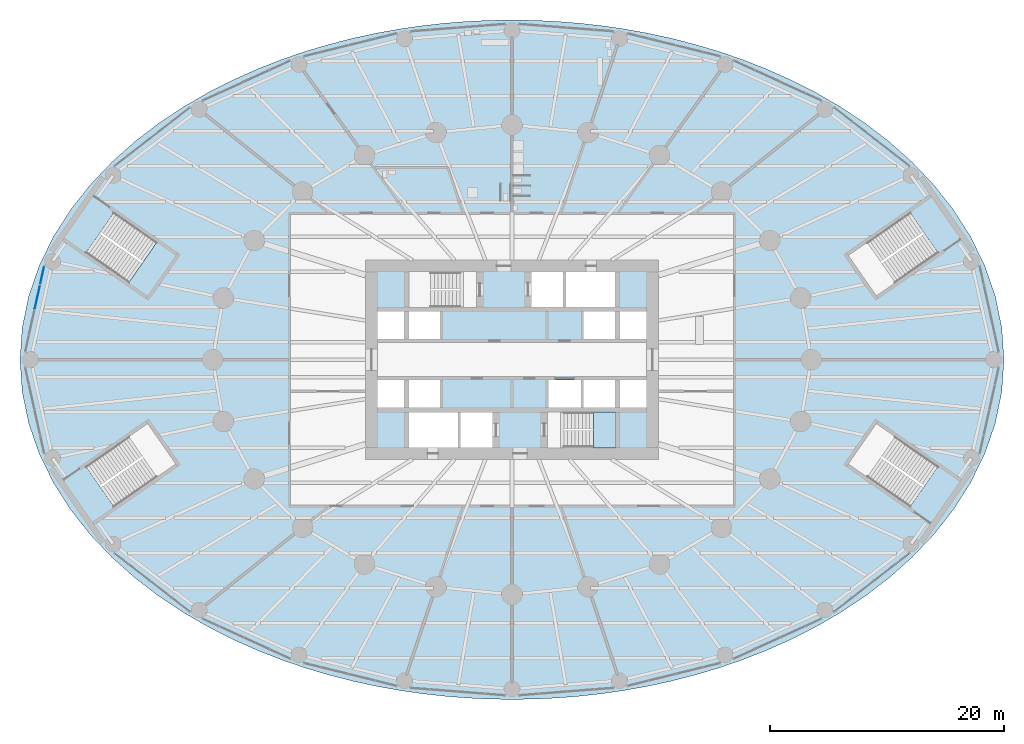
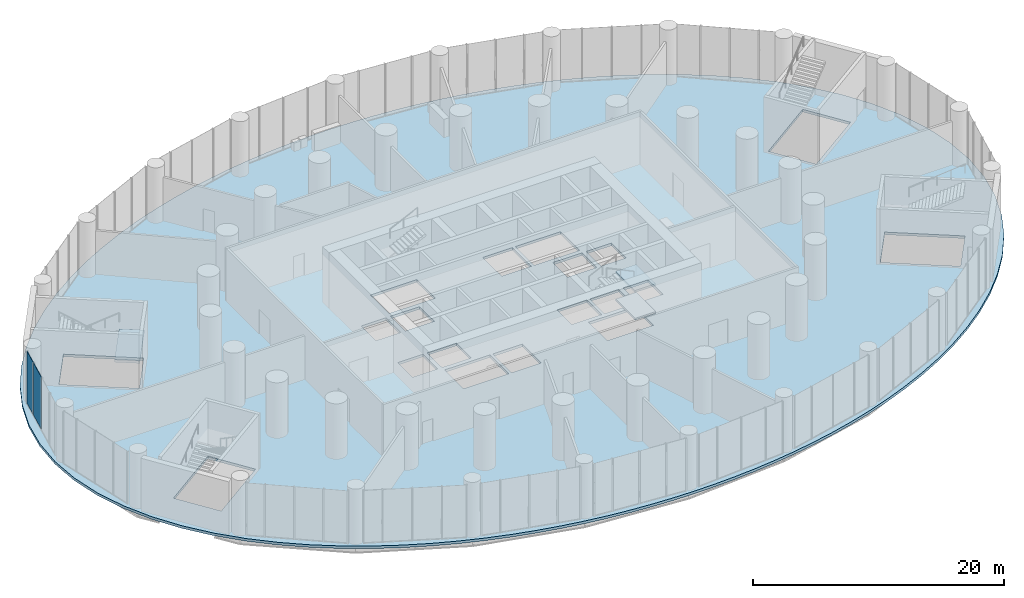
# One storey, part 14 of 23: 4 slabs, 2 plates, 3 elements without a shape of their own.
"""IFC4 building model written with IfcOpenShell, lengths in metres."""

from ifc_helpers import new_model, si_unit, direction, frame, origin, origin_2d, place, context, subcontext, project, spatial, polyline, rectangle, outline, extrude, material, layer, layer_set, type_object, element, aggregate, save


model = new_model("IFC4")

# Units and contexts
model_context = context("Model", 3, precision=1e-05, world=origin(), true_north=direction((0.0, 1.0)))
body_context = subcontext(model_context, "Body", "Model", "MODEL_VIEW")
ifc_project = project(units=[si_unit("LENGTHUNIT", "METRE"), si_unit("AREAUNIT", "SQUARE_METRE"), si_unit("VOLUMEUNIT", "CUBIC_METRE"), si_unit("PLANEANGLEUNIT", "RADIAN"), si_unit("MASSUNIT", "GRAM", prefix="KILO")], contexts=[model_context])

# Site, building, storey
site_placement = place(None, origin())
site = spatial("IfcSite", under=ifc_project, at=site_placement, CompositionType="ELEMENT")
building_placement = place(site_placement, origin())
building = spatial("IfcBuilding", under=site, at=building_placement, Name="Hankou Lantern Tower", CompositionType="ELEMENT")
storey_placement = place(building_placement, frame((0.0, 0.0, 19.199951171875)))
storey = spatial("IfcBuildingStorey", under=building, at=storey_placement, Name="L03", CompositionType="ELEMENT", Elevation=19.199951171875)

# Curtain wall, plates
ifc_material_1 = material(Name="Glass, dark grey tinted laminated", Category="glass")
curtain_wall_type = type_object("IfcCurtainWallType", Name="CWP PODIUM CURTAIN WALL", PredefinedType="USERDEFINED", material=ifc_material_1)
curtain_wall_placement = place(storey_placement, origin())
curtain_wall = element("IfcCurtainWall", 1, at=curtain_wall_placement, inside=storey, type_object=curtain_wall_type, Name="CWP L03 PC09", ObjectType="PODIUM GLAZING", PredefinedType="USERDEFINED")
ifc_material_2 = material(Name="Glass, dark grey tinted laminated", Category="glass")
ifc_layer_1 = layer(ifc_material_2, 0.037109375)
ifc_layer_set_1 = layer_set([ifc_layer_1], Name="Glass, dark grey tinted laminated")
plate_type = type_object("IfcPlateType", Name="PN2 PODIUM GLASS PANEL", PredefinedType="CURTAIN_PANEL", material=ifc_layer_set_1)
plate_1_placement = place(storey_placement, frame((-40.105224609375, 7.214599609375, 0.080078125), z_axis=(0.0, 0.0, 1.0), x_axis=(-0.215821488116, -0.976432837049, 0.0)))
plate_1 = element("IfcPlate", 2, at=plate_1_placement, type_object=plate_type, Name="CWP glass panel 1", PredefinedType="CURTAIN_PANEL", context=body_context, shape_type="SweptSolid", body=[
    extrude(rectangle(XDim=1.5869140625, YDim=0.031982421875, at=origin_2d()), origin(), (0.0, 0.0, 1.0), 5.070068359375),
])
plate_2_placement = place(storey_placement, frame((-40.52099609375, 5.333984375, 0.080078125), z_axis=(0.0, 0.0, 1.0), x_axis=(-0.215821488116, -0.976432837049, 0.0)))
plate_2 = element("IfcPlate", 3, at=plate_2_placement, type_object=plate_type, Name="CWP glass panel 2", PredefinedType="CURTAIN_PANEL", context=body_context, shape_type="SweptSolid", body=[
    extrude(rectangle(XDim=2.105224609375, YDim=0.031982421875, at=origin_2d()), origin(), (0.0, 0.0, 1.0), 5.070068359375),
])
aggregate(curtain_wall, [plate_1, plate_2])

# Slab
ifc_material_3 = material(Name="Concrete C50", Category="concrete")
ifc_layer_2 = layer(ifc_material_3, 0.25)
ifc_layer_set_2 = layer_set([ifc_layer_2], Name="Concrete C50")
slab_type_1 = type_object("IfcSlabType", Name="S2 HEAVY FLOOR SLAB 250", PredefinedType="FLOOR", material=ifc_layer_set_2)
slab_1_placement = place(storey_placement, frame((0.0, 0.0, -0.25)))
element("IfcSlab", 4, at=slab_1_placement, inside=storey, type_object=slab_type_1, Name="Floor slab L03", PredefinedType="FLOOR", context=body_context, shape_type="SweptSolid", body=[
    extrude(outline(polyline([(42.0, 0.0), (41.81201171875, 2.740478515625), (41.2568359375, 5.431640625), (40.358642578125, 8.02783203125), (39.155029296875, 10.491455078125), (37.69140625, 12.79443359375), (36.016357421875, 14.91845703125), (34.177978515625, 16.854736328125), (32.220458984375, 18.6025390625), (30.181884765625, 20.166748046875), (28.09375, 21.55712890625), (25.981689453125, 22.78515625), (23.864013671875, 23.864013671875), (21.7548828125, 24.806640625), (19.6630859375, 25.62548828125), (17.594970703125, 26.33251953125), (15.552978515625, 26.9384765625), (13.537841796875, 27.4521484375), (11.549072265625, 27.882080078125), (9.58447265625, 28.23486328125), (7.640869140625, 28.51611328125), (5.71484375, 28.730224609375), (3.80224609375, 28.880859375), (1.89892578125, 28.970458984375), (0.0, 29.0), (-1.89892578125, 28.970458984375), (-3.80224609375, 28.880859375), (-5.71484375, 28.730224609375), (-7.640869140625, 28.51611328125), (-9.58447265625, 28.23486328125), (-11.549072265625, 27.882080078125), (-13.537841796875, 27.4521484375), (-15.552978515625, 26.9384765625), (-17.594970703125, 26.33251953125), (-19.6630859375, 25.62548828125), (-21.7548828125, 24.806640625), (-23.864013671875, 23.864013671875), (-25.981689453125, 22.78515625), (-28.09375, 21.55712890625), (-30.181884765625, 20.166748046875), (-32.220458984375, 18.6025390625), (-34.177978515625, 16.854736328125), (-36.016357421875, 14.91845703125), (-37.69140625, 12.79443359375), (-39.155029296875, 10.491455078125), (-40.358642578125, 8.02783203125), (-41.2568359375, 5.431640625), (-41.81201171875, 2.740478515625), (-42.0, 0.0), (-41.81201171875, -2.740478515625), (-41.2568359375, -5.431640625), (-40.358642578125, -8.02783203125), (-39.155029296875, -10.491455078125), (-37.69140625, -12.79443359375), (-36.016357421875, -14.91845703125), (-34.177978515625, -16.854736328125), (-32.220458984375, -18.6025390625), (-30.181884765625, -20.166748046875), (-28.09375, -21.55712890625), (-25.981689453125, -22.78515625), (-23.864013671875, -23.864013671875), (-21.7548828125, -24.806640625), (-19.6630859375, -25.62548828125), (-17.594970703125, -26.33251953125), (-15.552978515625, -26.9384765625), (-13.537841796875, -27.4521484375), (-11.549072265625, -27.882080078125), (-9.58447265625, -28.23486328125), (-7.640869140625, -28.51611328125), (-5.71484375, -28.730224609375), (-3.80224609375, -28.880859375), (-1.89892578125, -28.970458984375), (0.0, -29.0), (1.89892578125, -28.970458984375), (3.80224609375, -28.880859375), (5.71484375, -28.730224609375), (7.640869140625, -28.51611328125), (9.58447265625, -28.23486328125), (11.549072265625, -27.882080078125), (13.537841796875, -27.4521484375), (15.552978515625, -26.9384765625), (17.594970703125, -26.33251953125), (19.6630859375, -25.62548828125), (21.7548828125, -24.806640625), (23.864013671875, -23.864013671875), (25.981689453125, -22.78515625), (28.09375, -21.55712890625), (30.181884765625, -20.166748046875), (32.220458984375, -18.6025390625), (34.177978515625, -16.854736328125), (36.016357421875, -14.91845703125), (37.69140625, -12.79443359375), (39.155029296875, -10.491455078125), (40.358642578125, -8.02783203125), (41.2568359375, -5.431640625), (41.81201171875, -2.740478515625), (42.0, 0.0)]), holes=[polyline([(-11.5, 4.10009765625), (-9.199951171875, 4.10009765625), (-9.199951171875, 1.75), (-11.5, 1.75), (-11.5, 4.10009765625)]), polyline([(-8.800048828125, 4.10009765625), (-6.125, 4.10009765625), (-6.125, 1.75), (-8.800048828125, 1.75), (-8.800048828125, 4.10009765625)]), polyline([(6.125, 4.10009765625), (8.800048828125, 4.10009765625), (8.800048828125, 1.75), (6.125, 1.75), (6.125, 4.10009765625)]), polyline([(9.199951171875, 4.10009765625), (11.5, 4.10009765625), (11.5, 1.75), (9.199951171875, 1.75), (9.199951171875, 4.10009765625)]), polyline([(-11.5, -1.75), (-9.199951171875, -1.75), (-9.199951171875, -4.10009765625), (-11.5, -4.10009765625), (-11.5, -1.75)]), polyline([(-8.800048828125, -1.75), (-6.125, -1.75), (-6.125, -4.10009765625), (-8.800048828125, -4.10009765625), (-8.800048828125, -1.75)]), polyline([(3.125, -1.75), (5.875, -1.75), (5.875, -4.10009765625), (3.125, -4.10009765625), (3.125, -1.75)]), polyline([(6.125, -1.75), (8.800048828125, -1.75), (8.800048828125, -4.10009765625), (6.125, -4.10009765625), (6.125, -1.75)]), polyline([(9.199951171875, -1.75), (11.5, -1.75), (11.5, -4.10009765625), (9.199951171875, -4.10009765625), (9.199951171875, -1.75)]), polyline([(1.64990234375, 7.5), (4.375, 7.5), (4.375, 4.5), (1.64990234375, 4.5), (1.64990234375, 7.5)]), polyline([(-4.375, -4.5), (-1.64990234375, -4.5), (-1.64990234375, -7.5), (-4.375, -7.5), (-4.375, -4.5)]), polyline([(-8.699951171875, 7.449951171875), (-4.449951171875, 7.449951171875), (-4.449951171875, 4.5), (-8.699951171875, 4.5), (-8.699951171875, 7.449951171875)]), polyline([(4.449951171875, -4.5), (8.699951171875, -4.5), (8.699951171875, -7.449951171875), (4.449951171875, -7.449951171875), (4.449951171875, -4.5)]), polyline([(4.625, 7.5), (8.800048828125, 7.5), (8.800048828125, 4.5), (4.625, 4.5), (4.625, 7.5)]), polyline([(-8.800048828125, -4.5), (-4.625, -4.5), (-4.625, -7.5), (-8.800048828125, -7.5), (-8.800048828125, -4.5)]), polyline([(31.104248046875, 5.451904296875), (28.7060546875, 8.899658203125), (33.968017578125, 12.56005859375), (36.366455078125, 9.112060546875), (31.104248046875, 5.451904296875)]), polyline([(-28.7060546875, 8.899658203125), (-31.104248046875, 5.451904296875), (-36.366455078125, 9.112060546875), (-33.968017578125, 12.56005859375), (-28.7060546875, 8.899658203125)]), polyline([(-31.104248046875, -5.451904296875), (-28.7060546875, -8.899658203125), (-33.968017578125, -12.56005859375), (-36.366455078125, -9.112060546875), (-31.104248046875, -5.451904296875)]), polyline([(28.7060546875, -8.899658203125), (31.104248046875, -5.451904296875), (36.366455078125, -9.112060546875), (33.968017578125, -12.56005859375), (28.7060546875, -8.899658203125)])]), origin(), (0.0, 0.0, 1.0), 0.25),
])

# Stair, slabs
ifc_material_4 = material(Name="Concrete C40", Category="concrete")
stair_type_1 = type_object("IfcStairType", Name="ST54 CORE STAIR 5400 RISE", PredefinedType="HALF_TURN_STAIR", material=ifc_material_4)
stair_1_placement = place(storey_placement, origin())
stair_1 = element("IfcStair", 5, at=stair_1_placement, inside=storey, type_object=stair_type_1, Name="Stair STB L03", PredefinedType="HALF_TURN_STAIR")
ifc_material_5 = material(Name="Concrete C40", Category="concrete")
ifc_layer_3 = layer(ifc_material_5, 0.199951171875)
ifc_layer_set_3 = layer_set([ifc_layer_3], Name="Concrete C40")
slab_type_2 = type_object("IfcSlabType", Name="SL1 STAIR LANDING 200", PredefinedType="LANDING", material=ifc_layer_set_3)
slab_2_placement = place(storey_placement, frame((0.0, 0.0, 1.150146484375)))
slab_2 = element("IfcSlab", 6, at=slab_2_placement, type_object=slab_type_2, Name="STB landing 1", PredefinedType="LANDING", context=body_context, shape_type="SweptSolid", body=[
    extrude(outline(polyline([(8.85009765625, -4.449951171875), (6.949951171875, -4.449951171875), (6.949951171875, -7.550048828125), (8.85009765625, -7.550048828125), (8.85009765625, -4.449951171875)])), origin(), (0.0, 0.0, 1.0), 0.199951171875),
])
slab_3_placement = place(storey_placement, frame((0.0, 0.0, 3.85009765625)))
slab_3 = element("IfcSlab", 7, at=slab_3_placement, type_object=slab_type_2, Name="STB landing 3", PredefinedType="LANDING", context=body_context, shape_type="SweptSolid", body=[
    extrude(outline(polyline([(8.85009765625, -4.449951171875), (6.949951171875, -4.449951171875), (6.949951171875, -7.550048828125), (8.85009765625, -7.550048828125), (8.85009765625, -4.449951171875)])), origin(), (0.0, 0.0, 1.0), 0.199951171875),
])
aggregate(stair_1, [slab_2, slab_3])

# Stair, slab
ifc_material_6 = material(Name="Concrete C40", Category="concrete")
stair_type_2 = type_object("IfcStairType", Name="PS54 PODIUM STAIR 5400 RISE", PredefinedType="HALF_TURN_STAIR", material=ifc_material_6)
stair_2_placement = place(storey_placement, origin())
stair_2 = element("IfcStair", 8, at=stair_2_placement, inside=storey, type_object=stair_type_2, Name="Stair P2 L03", PredefinedType="HALF_TURN_STAIR")
ifc_material_7 = material(Name="Concrete C40", Category="concrete")
ifc_layer_4 = layer(ifc_material_7, 0.25)
ifc_layer_set_4 = layer_set([ifc_layer_4], Name="Concrete C40")
slab_type_3 = type_object("IfcSlabType", Name="SL2 PODIUM STAIR LANDING 250", PredefinedType="LANDING", material=ifc_layer_set_4)
slab_4_placement = place(storey_placement, frame((0.0, 0.0, 2.449951171875)))
slab_4 = element("IfcSlab", 9, at=slab_4_placement, type_object=slab_type_3, Name="P2 landing 1", PredefinedType="LANDING", context=body_context, shape_type="SweptSolid", body=[
    extrude(outline(polyline([(-30.294677734375, 10.065673828125), (-32.75, 6.53564453125), (-31.091796875, 5.382080078125), (-28.636474609375, 8.912109375), (-30.294677734375, 10.065673828125)])), origin(), (0.0, 0.0, 1.0), 0.25),
])
aggregate(stair_2, [slab_4])

save(model, "model.ifc")
